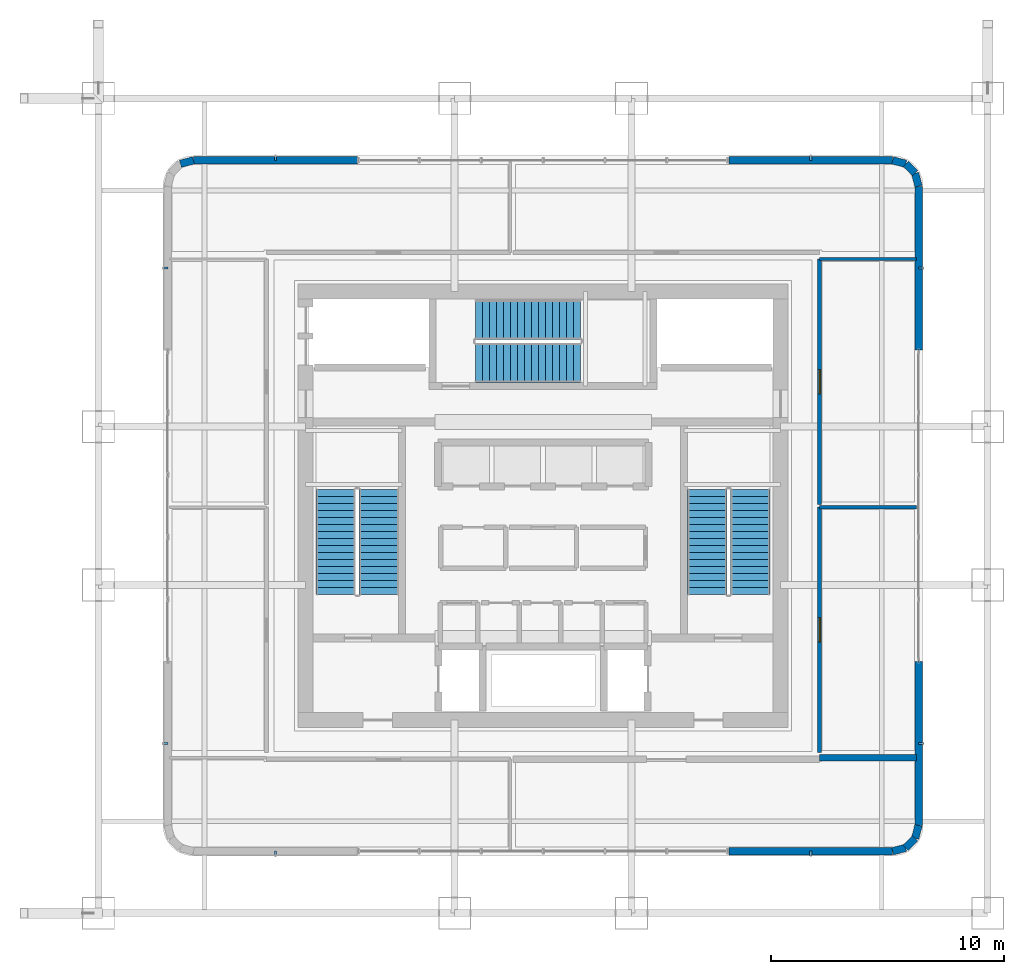
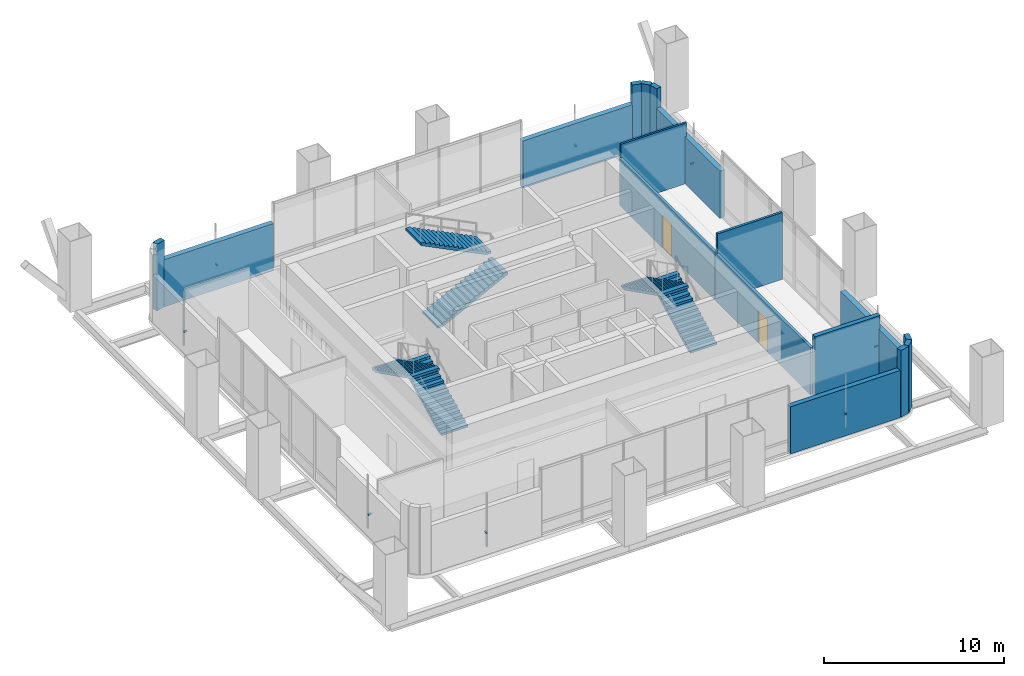
# One storey, part 20 of 30: 17 walls, 8 discrete accessories, 6 stair flights, 2 doors, 2 openings, 3 elements without a shape of their own.
"""IFC4 building model written with IfcOpenShell, lengths in metres."""

from ifc_helpers import new_model, si_unit, direction, frame, frame_2d, origin, origin_2d, place, context, subcontext, project, spatial, polyline, rectangle, outline, extrude, material, layer, layer_set, type_object, element, fill, aggregate, save


model = new_model("IFC4")

# Units and contexts
model_context = context("Model", 3, precision=1e-05, world=origin(), true_north=direction((0.0, 1.0)))
body_context = subcontext(model_context, "Body", "Model", "MODEL_VIEW")
ifc_project = project(units=[si_unit("LENGTHUNIT", "METRE"), si_unit("AREAUNIT", "SQUARE_METRE"), si_unit("VOLUMEUNIT", "CUBIC_METRE"), si_unit("PLANEANGLEUNIT", "RADIAN"), si_unit("MASSUNIT", "GRAM", prefix="KILO")], contexts=[model_context])

# Site, building, storey
site_placement = place(None, origin())
site = spatial("IfcSite", under=ifc_project, at=site_placement, CompositionType="ELEMENT")
building_placement = place(site_placement, origin())
building = spatial("IfcBuilding", under=site, at=building_placement, Name="Punatoya Terracotta Tower", CompositionType="ELEMENT")
storey_placement = place(building_placement, frame((0.0, 0.0, 135.0)))
storey = spatial("IfcBuildingStorey", under=building, at=storey_placement, Name="L31", CompositionType="ELEMENT", Elevation=135.0)

# Wall
ifc_material_1 = material(Name="Concrete C40/50", Category="concrete")
ifc_layer_1 = layer(ifc_material_1, 0.280029296875)
ifc_layer_set_1 = layer_set([ifc_layer_1], Name="Concrete C40/50")
wall_type_1 = type_object("IfcWallType", Name="WL-AUD-280", PredefinedType="SOLIDWALL", material=ifc_layer_set_1)
wall_1_placement = place(storey_placement, frame((11.8798828125, -10.820068359375, 0.0), z_axis=(0.0, 0.0, 1.0), x_axis=(1.0, 0.0, 0.0)))
element("IfcWall", 1, at=wall_1_placement, inside=storey, type_object=wall_type_1, Name="L31 Waterfront Espresso Bistro Partition 26", PredefinedType="SOLIDWALL", context=body_context, shape_type="SweptSolid", body=[
    extrude(rectangle(XDim=4.170166015625, YDim=0.280029296875, at=frame_2d((2.0849609375, 0.0))), origin(), (0.0, 0.0, 1.0), 4.114013671875),
])

# Wall, opening, door
ifc_material_2 = material(Name="Gypsum Fireboard + Steel Stud", Category="steel")
ifc_layer_2 = layer(ifc_material_2, 0.179931640625)
ifc_layer_set_2 = layer_set([ifc_layer_2], Name="Gypsum Fireboard + Steel Stud")
wall_type_2 = type_object("IfcWallType", Name="WL-CORR-180", PredefinedType="PARTITIONING", material=ifc_layer_set_2)
wall_2_placement = place(storey_placement, frame((11.8798828125, -10.60009765625, 0.0), z_axis=(0.0, 0.0, 1.0), x_axis=(0.0, 1.0, 0.0)))
wall_2 = element("IfcWall", 2, at=wall_2_placement, inside=storey, type_object=wall_type_2, Name="L31 Barista Tea Pantry Partition 29", PredefinedType="PARTITIONING", context=body_context, shape_type="SweptSolid", body=[
    extrude(rectangle(XDim=10.5400390625, YDim=0.179931640625, at=frame_2d((5.27001953125, 0.0))), origin(), (0.0, 0.0, 1.0), 3.194091796875),
])
opening_1_placement = place(wall_2_placement, frame((4.7451171875, 0.0, 0.0)))
opening_1 = element("IfcOpeningElement", 3, at=opening_1_placement, cuts=wall_2, Name="Opening OD-01", PredefinedType="OPENING", context=body_context, shape_type="SweptSolid", body=[
    extrude(rectangle(XDim=1.050048828125, YDim=2.199951171875, at=frame_2d((0.52490234375, 1.10009765625))), frame((0.0, 0.099853515625, 0.0), z_axis=(0.0, -1.0, 0.0), x_axis=(1.0, 0.0, 0.0)), (0.0, 0.0, 1.0), 0.199951171875),
])
ifc_material_3 = material(Name="Bengal Teak Solid-Core Leaf")
door_type = type_object("IfcDoorType", Name="DR-OFF-1050", OperationType="NOTDEFINED", PredefinedType="DOOR", material=ifc_material_3)
door_1_placement = place(opening_1_placement, origin())
door_1 = element("IfcDoor", 4, at=door_1_placement, inside=storey, type_object=door_type, Name="L31 Barista Tea Pantry Door", OperationType="SINGLE_SWING_LEFT", OverallHeight=2.199951171875, OverallWidth=1.050048828125, PredefinedType="DOOR", context=body_context, shape_type="SweptSolid", body=[
    extrude(rectangle(XDim=1.050048828125, YDim=2.199951171875, at=frame_2d((0.52490234375, 1.10009765625))), frame((0.0, 0.02490234375, 0.0), z_axis=(0.0, -1.0, 0.0), x_axis=(1.0, 0.0, 0.0)), (0.0, 0.0, 1.0), 0.050048828125),
])
fill(opening_1, door_1)

wall_3_placement = place(storey_placement, frame((11.8798828125, 0.06005859375, 0.0), z_axis=(0.0, 0.0, 1.0), x_axis=(0.0, 1.0, 0.0)))
wall_3 = element("IfcWall", 5, at=wall_3_placement, inside=storey, type_object=wall_type_2, Name="L31 Staff Wellness Studio Partition 33", PredefinedType="PARTITIONING", context=body_context, shape_type="SweptSolid", body=[
    extrude(rectangle(XDim=10.5400390625, YDim=0.179931640625, at=frame_2d((5.27001953125, 0.0))), origin(), (0.0, 0.0, 1.0), 3.194091796875),
])
opening_2_placement = place(wall_3_placement, frame((4.7451171875, 0.0, 0.0)))
opening_2 = element("IfcOpeningElement", 6, at=opening_2_placement, cuts=wall_3, Name="Opening OD-01", PredefinedType="OPENING", context=body_context, shape_type="SweptSolid", body=[
    extrude(rectangle(XDim=1.050048828125, YDim=2.199951171875, at=frame_2d((0.52490234375, 1.10009765625))), frame((0.0, 0.099853515625, 0.0), z_axis=(0.0, -1.0, 0.0), x_axis=(1.0, 0.0, 0.0)), (0.0, 0.0, 1.0), 0.199951171875),
])
door_2_placement = place(opening_2_placement, origin())
door_2 = element("IfcDoor", 7, at=door_2_placement, inside=storey, type_object=door_type, Name="L31 Staff Wellness Studio Door", OperationType="SINGLE_SWING_LEFT", OverallHeight=2.199951171875, OverallWidth=1.050048828125, PredefinedType="DOOR", context=body_context, shape_type="SweptSolid", body=[
    extrude(rectangle(XDim=1.050048828125, YDim=2.199951171875, at=frame_2d((0.52490234375, 1.10009765625))), frame((0.0, 0.02490234375, 0.0), z_axis=(0.0, -1.0, 0.0), x_axis=(1.0, 0.0, 0.0)), (0.0, 0.0, 1.0), 0.050048828125),
])
fill(opening_2, door_2)

# Walls
ifc_material_4 = material(Name="Precast concrete C40/50", Category="concrete")
ifc_layer_3 = layer(ifc_material_4, 0.320068359375)
ifc_layer_set_3 = layer_set([ifc_layer_3], Name="Precast concrete C40/50")
wall_type_3 = type_object("IfcWallType", Name="WL-EXT-320", PredefinedType="SOLIDWALL", material=ifc_layer_set_3)
wall_4_placement = place(storey_placement, frame((7.97998046875, -14.840087890625, 0.0), z_axis=(0.0, 0.0, 1.0), x_axis=(1.0, 0.0, 0.0)))
element("IfcWall", 8, at=wall_4_placement, inside=storey, type_object=wall_type_3, Name="L31 Terracotta Braced Facade Wall S2", PredefinedType="SOLIDWALL", context=body_context, shape_type="SweptSolid", body=[
    extrude(rectangle(XDim=7.036865234375, YDim=0.320068359375, at=frame_2d((3.5185546875, 0.0))), origin(), (0.0, 0.0, 1.0), 3.194091796875),
])
wall_5_placement = place(storey_placement, frame((15.016845703125, -14.840087890625, 0.0), z_axis=(0.0, 0.0, 1.0), x_axis=(0.966665515501, 0.256042537758, 0.0)))
element("IfcWall", 9, at=wall_5_placement, inside=storey, type_object=wall_type_3, Name="L31 Rounded Terracotta Corner Pier 02", PredefinedType="SOLIDWALL", context=body_context, shape_type="SweptSolid", body=[
    extrude(rectangle(XDim=0.58154296875, YDim=0.320068359375, at=frame_2d((0.290771484375, 0.0))), origin(), (0.0, 0.0, 1.0), 4.52001953125),
])
wall_6_placement = place(storey_placement, frame((15.5791015625, -14.691162109375, 0.0), z_axis=(0.0, 0.0, 1.0), x_axis=(0.707106781187, 0.707106781187, 0.0)))
element("IfcWall", 10, at=wall_6_placement, inside=storey, type_object=wall_type_3, Name="L31 Rounded Terracotta Corner Pier 03", PredefinedType="SOLIDWALL", context=body_context, shape_type="SweptSolid", body=[
    extrude(rectangle(XDim=0.568603515625, YDim=0.320068359375, at=frame_2d((0.2841796875, 0.0))), origin(), (0.0, 0.0, 1.0), 4.52001953125),
])
wall_7_placement = place(storey_placement, frame((15.981201171875, -14.2890625, 0.0), z_axis=(0.0, 0.0, 1.0), x_axis=(0.255650250031, 0.966769336325, 0.0)))
element("IfcWall", 11, at=wall_7_placement, inside=storey, type_object=wall_type_3, Name="L31 Rounded Terracotta Corner Pier 04", PredefinedType="SOLIDWALL", context=body_context, shape_type="SweptSolid", body=[
    extrude(rectangle(XDim=0.58154296875, YDim=0.320068359375, at=frame_2d((0.290771484375, 0.0))), origin(), (0.0, 0.0, 1.0), 4.52001953125),
])
for number, where, z_axis, x_axis, name in (
    (12, (16.1298828125, -13.726806640625, 0.0), (0.0, 0.0, 1.0), (0.0, 1.0, 0.0), "L31 Terracotta Braced Facade Wall E1"),
    (13, (16.1298828125, 6.68994140625, 0.0), (0.0, 0.0, 1.0), (0.0, 1.0, 0.0), "L31 Terracotta Braced Facade Wall E2"),
):
    element("IfcWall", number, at=place(storey_placement, frame(where, z_axis=z_axis, x_axis=x_axis)), inside=storey, type_object=wall_type_3, Name=name, PredefinedType="SOLIDWALL", context=body_context, shape_type="SweptSolid", body=[
        extrude(rectangle(XDim=7.036865234375, YDim=0.320068359375, at=frame_2d((3.5185546875, 0.0))), origin(), (0.0, 0.0, 1.0), 3.194091796875),
    ])
wall_8_placement = place(storey_placement, frame((16.1298828125, 13.726806640625, 0.0), z_axis=(0.0, 0.0, 1.0), x_axis=(-0.255650250031, 0.966769336325, 0.0)))
element("IfcWall", 14, at=wall_8_placement, inside=storey, type_object=wall_type_3, Name="L31 Rounded Terracotta Corner Pier 06", PredefinedType="SOLIDWALL", context=body_context, shape_type="SweptSolid", body=[
    extrude(rectangle(XDim=0.58154296875, YDim=0.320068359375, at=frame_2d((0.290771484375, 0.0))), origin(), (0.0, 0.0, 1.0), 4.52001953125),
])
wall_9_placement = place(storey_placement, frame((15.981201171875, 14.2890625, 0.0), z_axis=(0.0, 0.0, 1.0), x_axis=(-0.707106781187, 0.707106781187, 0.0)))
element("IfcWall", 15, at=wall_9_placement, inside=storey, type_object=wall_type_3, Name="L31 Rounded Terracotta Corner Pier 07", PredefinedType="SOLIDWALL", context=body_context, shape_type="SweptSolid", body=[
    extrude(rectangle(XDim=0.568603515625, YDim=0.320068359375, at=frame_2d((0.2841796875, 0.0))), origin(), (0.0, 0.0, 1.0), 4.52001953125),
])
wall_10_placement = place(storey_placement, frame((15.5791015625, 14.691162109375, 0.0), z_axis=(0.0, 0.0, 1.0), x_axis=(-0.966665515501, 0.256042537758, 0.0)))
element("IfcWall", 16, at=wall_10_placement, inside=storey, type_object=wall_type_3, Name="L31 Rounded Terracotta Corner Pier 08", PredefinedType="SOLIDWALL", context=body_context, shape_type="SweptSolid", body=[
    extrude(rectangle(XDim=0.58154296875, YDim=0.320068359375, at=frame_2d((0.290771484375, 0.0))), origin(), (0.0, 0.0, 1.0), 4.52001953125),
])
for number, where, z_axis, x_axis, name in (
    (17, (15.016845703125, 14.840087890625, 0.0), (0.0, 0.0, 1.0), (-1.0, 0.0, 0.0), "L31 Terracotta Braced Facade Wall N1"),
    (18, (-7.97998046875, 14.840087890625, 0.0), (0.0, 0.0, 1.0), (-1.0, 0.0, 0.0), "L31 Terracotta Braced Facade Wall N2"),
):
    element("IfcWall", number, at=place(storey_placement, frame(where, z_axis=z_axis, x_axis=x_axis)), inside=storey, type_object=wall_type_3, Name=name, PredefinedType="SOLIDWALL", context=body_context, shape_type="SweptSolid", body=[
        extrude(rectangle(XDim=7.036865234375, YDim=0.320068359375, at=frame_2d((3.5185546875, 0.0))), origin(), (0.0, 0.0, 1.0), 3.194091796875),
    ])
wall_11_placement = place(storey_placement, frame((-15.016845703125, 14.840087890625, 0.0), z_axis=(0.0, 0.0, 1.0), x_axis=(-0.966665515501, -0.256042537758, 0.0)))
element("IfcWall", 19, at=wall_11_placement, inside=storey, type_object=wall_type_3, Name="L31 Rounded Terracotta Corner Pier 10", PredefinedType="SOLIDWALL", context=body_context, shape_type="SweptSolid", body=[
    extrude(rectangle(XDim=0.58154296875, YDim=0.320068359375, at=frame_2d((0.290771484375, 0.0))), origin(), (0.0, 0.0, 1.0), 4.52001953125),
])
ifc_material_5 = material(Name="Gypsum Partition + Steel Stud", Category="steel")
ifc_layer_4 = layer(ifc_material_5, 0.1201171875)
ifc_layer_set_4 = layer_set([ifc_layer_4], Name="Gypsum Partition + Steel Stud")
wall_type_4 = type_object("IfcWallType", Name="WL-OFF-120", PredefinedType="PARTITIONING", material=ifc_layer_set_4)
wall_12_placement = place(storey_placement, frame((11.8798828125, 10.60009765625, 0.0), z_axis=(0.0, 0.0, 1.0), x_axis=(1.0, 0.0, 0.0)))
element("IfcWall", 20, at=wall_12_placement, inside=storey, type_object=wall_type_4, Name="L31 Staff Wellness Studio Partition 34", PredefinedType="PARTITIONING", context=body_context, shape_type="SweptSolid", body=[
    extrude(rectangle(XDim=4.170166015625, YDim=0.1201171875, at=frame_2d((2.0849609375, 0.0))), origin(), (0.0, 0.0, 1.0), 4.114013671875),
])
ifc_material_6 = material(Name="Masonry Blockwork + Ceramic Tile", Category="masonry")
ifc_layer_5 = layer(ifc_material_6, 0.159912109375)
ifc_layer_set_5 = layer_set([ifc_layer_5], Name="Masonry Blockwork + Ceramic Tile")
wall_type_5 = type_object("IfcWallType", Name="WL-WET-160", PredefinedType="PARTITIONING", material=ifc_layer_set_5)
wall_13_placement = place(storey_placement, frame((11.8798828125, -0.06005859375, 0.0), z_axis=(0.0, 0.0, 1.0), x_axis=(1.0, 0.0, 0.0)))
element("IfcWall", 21, at=wall_13_placement, inside=storey, type_object=wall_type_5, Name="L31 Barista Tea Pantry Partition 30", PredefinedType="PARTITIONING", context=body_context, shape_type="SweptSolid", body=[
    extrude(rectangle(XDim=4.170166015625, YDim=0.159912109375, at=frame_2d((2.0849609375, 0.0))), origin(), (0.0, 0.0, 1.0), 4.52001953125),
])

# Stair, stair flights
stair_type_1 = type_object("IfcStairType", Name="STR-CORE-1550", PredefinedType="HALF_TURN_STAIR", material=ifc_material_1)
stair_1_placement = place(storey_placement, origin())
stair_1 = element("IfcStair", 22, at=stair_1_placement, inside=storey, type_object=stair_type_1, Name="L31 Protected Core Exit Stair ST-1", PredefinedType="HALF_TURN_STAIR")
stair_flight_type_1 = type_object("IfcStairFlightType", Name="SFL-CORE-1550", PredefinedType="STRAIGHT", material=ifc_material_1)
stair_flight_1_placement = place(storey_placement, frame((-7.050048828125, -3.800048828125, 0.0), z_axis=(0.0, 0.0, 1.0), x_axis=(0.0, 1.0, 0.0)))
stair_flight_1 = element("IfcStairFlight", 23, at=stair_flight_1_placement, type_object=stair_flight_type_1, Name="ST-1 flight 1", NumberOfRisers=16, NumberOfTreads=15, PredefinedType="STRAIGHT", RiserHeight=0.15, TreadLength=0.3, context=body_context, shape_type="SweptSolid", body=[
    extrude(outline(polyline([(0.0, 0.0), (0.0, 0.14990234375), (0.300048828125, 0.14990234375), (0.300048828125, 0.300048828125), (0.60009765625, 0.300048828125), (0.60009765625, 0.449951171875), (0.89990234375, 0.449951171875), (0.89990234375, 0.60009765625), (1.199951171875, 0.60009765625), (1.199951171875, 0.75), (1.5, 0.75), (1.5, 0.89990234375), (1.800048828125, 0.89990234375), (1.800048828125, 1.050048828125), (2.10009765625, 1.050048828125), (2.10009765625, 1.199951171875), (2.39990234375, 1.199951171875), (2.39990234375, 1.35009765625), (2.699951171875, 1.35009765625), (2.699951171875, 1.5), (3.0, 1.5), (3.0, 1.64990234375), (3.300048828125, 1.64990234375), (3.300048828125, 1.800048828125), (3.60009765625, 1.800048828125), (3.60009765625, 1.949951171875), (3.89990234375, 1.949951171875), (3.89990234375, 2.10009765625), (4.199951171875, 2.10009765625), (4.199951171875, 2.25), (4.5, 2.25), (4.5, 2.39990234375), (4.5, 2.08251953125), (0.335205078125, 0.0), (0.0, 0.0)])), frame((0.0, 0.85009765625, 0.0), z_axis=(0.0, -1.0, 0.0), x_axis=(1.0, 0.0, 0.0)), (0.0, 0.0, 1.0), 1.699951171875),
])
stair_flight_2_placement = place(storey_placement, frame((-8.89990234375, 0.699951171875, 2.39990234375), z_axis=(0.0, 0.0, 1.0), x_axis=(0.0, -1.0, 0.0)))
stair_flight_2 = element("IfcStairFlight", 24, at=stair_flight_2_placement, type_object=stair_flight_type_1, Name="ST-1 flight 2", NumberOfRisers=16, NumberOfTreads=15, PredefinedType="STRAIGHT", RiserHeight=0.15, TreadLength=0.3, context=body_context, shape_type="SweptSolid", body=[
    extrude(outline(polyline([(0.0, 0.0), (0.0, 0.14990234375), (0.300048828125, 0.14990234375), (0.300048828125, 0.300048828125), (0.60009765625, 0.300048828125), (0.60009765625, 0.449951171875), (0.89990234375, 0.449951171875), (0.89990234375, 0.60009765625), (1.199951171875, 0.60009765625), (1.199951171875, 0.75), (1.5, 0.75), (1.5, 0.89990234375), (1.800048828125, 0.89990234375), (1.800048828125, 1.050048828125), (2.10009765625, 1.050048828125), (2.10009765625, 1.199951171875), (2.39990234375, 1.199951171875), (2.39990234375, 1.35009765625), (2.699951171875, 1.35009765625), (2.699951171875, 1.5), (3.0, 1.5), (3.0, 1.64990234375), (3.300048828125, 1.64990234375), (3.300048828125, 1.800048828125), (3.60009765625, 1.800048828125), (3.60009765625, 1.949951171875), (3.89990234375, 1.949951171875), (3.89990234375, 2.10009765625), (4.199951171875, 2.10009765625), (4.199951171875, 2.25), (4.5, 2.25), (4.5, 2.39990234375), (4.5, 2.08251953125), (0.335205078125, 0.0), (0.0, 0.0)])), frame((0.0, 0.85009765625, 0.0), z_axis=(0.0, -1.0, 0.0), x_axis=(1.0, 0.0, 0.0)), (0.0, 0.0, 1.0), 1.699951171875),
])
aggregate(stair_1, [stair_flight_1, stair_flight_2])

stair_type_2 = type_object("IfcStairType", Name="STR-LOB-1650", PredefinedType="HALF_TURN_STAIR", material=ifc_material_1)
stair_2_placement = place(storey_placement, origin())
stair_2 = element("IfcStair", 25, at=stair_2_placement, inside=storey, type_object=stair_type_2, Name="L31 Protected Core Exit Stair ST-2", PredefinedType="HALF_TURN_STAIR")
stair_flight_type_2 = type_object("IfcStairFlightType", Name="SFL-LOB-1650", PredefinedType="STRAIGHT", material=ifc_material_1)
stair_flight_3_placement = place(storey_placement, frame((8.89990234375, -3.800048828125, 0.0), z_axis=(0.0, 0.0, 1.0), x_axis=(0.0, 1.0, 0.0)))
stair_flight_3 = element("IfcStairFlight", 26, at=stair_flight_3_placement, type_object=stair_flight_type_2, Name="ST-2 flight 1", NumberOfRisers=16, NumberOfTreads=15, PredefinedType="STRAIGHT", RiserHeight=0.15, TreadLength=0.3, context=body_context, shape_type="SweptSolid", body=[
    extrude(outline(polyline([(0.0, 0.0), (0.0, 0.14990234375), (0.300048828125, 0.14990234375), (0.300048828125, 0.300048828125), (0.60009765625, 0.300048828125), (0.60009765625, 0.449951171875), (0.89990234375, 0.449951171875), (0.89990234375, 0.60009765625), (1.199951171875, 0.60009765625), (1.199951171875, 0.75), (1.5, 0.75), (1.5, 0.89990234375), (1.800048828125, 0.89990234375), (1.800048828125, 1.050048828125), (2.10009765625, 1.050048828125), (2.10009765625, 1.199951171875), (2.39990234375, 1.199951171875), (2.39990234375, 1.35009765625), (2.699951171875, 1.35009765625), (2.699951171875, 1.5), (3.0, 1.5), (3.0, 1.64990234375), (3.300048828125, 1.64990234375), (3.300048828125, 1.800048828125), (3.60009765625, 1.800048828125), (3.60009765625, 1.949951171875), (3.89990234375, 1.949951171875), (3.89990234375, 2.10009765625), (4.199951171875, 2.10009765625), (4.199951171875, 2.25), (4.5, 2.25), (4.5, 2.39990234375), (4.5, 2.08251953125), (0.335205078125, 0.0), (0.0, 0.0)])), frame((0.0, 0.85009765625, 0.0), z_axis=(0.0, -1.0, 0.0), x_axis=(1.0, 0.0, 0.0)), (0.0, 0.0, 1.0), 1.699951171875),
])
stair_flight_4_placement = place(storey_placement, frame((7.050048828125, 0.699951171875, 2.39990234375), z_axis=(0.0, 0.0, 1.0), x_axis=(0.0, -1.0, 0.0)))
stair_flight_4 = element("IfcStairFlight", 27, at=stair_flight_4_placement, type_object=stair_flight_type_2, Name="ST-2 flight 2", NumberOfRisers=16, NumberOfTreads=15, PredefinedType="STRAIGHT", RiserHeight=0.15, TreadLength=0.3, context=body_context, shape_type="SweptSolid", body=[
    extrude(outline(polyline([(0.0, 0.0), (0.0, 0.14990234375), (0.300048828125, 0.14990234375), (0.300048828125, 0.300048828125), (0.60009765625, 0.300048828125), (0.60009765625, 0.449951171875), (0.89990234375, 0.449951171875), (0.89990234375, 0.60009765625), (1.199951171875, 0.60009765625), (1.199951171875, 0.75), (1.5, 0.75), (1.5, 0.89990234375), (1.800048828125, 0.89990234375), (1.800048828125, 1.050048828125), (2.10009765625, 1.050048828125), (2.10009765625, 1.199951171875), (2.39990234375, 1.199951171875), (2.39990234375, 1.35009765625), (2.699951171875, 1.35009765625), (2.699951171875, 1.5), (3.0, 1.5), (3.0, 1.64990234375), (3.300048828125, 1.64990234375), (3.300048828125, 1.800048828125), (3.60009765625, 1.800048828125), (3.60009765625, 1.949951171875), (3.89990234375, 1.949951171875), (3.89990234375, 2.10009765625), (4.199951171875, 2.10009765625), (4.199951171875, 2.25), (4.5, 2.25), (4.5, 2.39990234375), (4.5, 2.08251953125), (0.335205078125, 0.0), (0.0, 0.0)])), frame((0.0, 0.85009765625, 0.0), z_axis=(0.0, -1.0, 0.0), x_axis=(1.0, 0.0, 0.0)), (0.0, 0.0, 1.0), 1.699951171875),
])
aggregate(stair_2, [stair_flight_3, stair_flight_4])

stair_type_3 = type_object("IfcStairType", Name="STR-TER-1450", PredefinedType="HALF_TURN_STAIR", material=ifc_material_1)
stair_3_placement = place(storey_placement, origin())
stair_3 = element("IfcStair", 28, at=stair_3_placement, inside=storey, type_object=stair_type_3, Name="L31 Protected Core Exit Stair ST-3", PredefinedType="HALF_TURN_STAIR")
stair_flight_type_3 = type_object("IfcStairFlightType", Name="SFL-TER-1450", PredefinedType="STRAIGHT", material=ifc_material_1)
stair_flight_5_placement = place(storey_placement, frame((-2.89990234375, 6.14990234375, 0.0), z_axis=(0.0, 0.0, 1.0), x_axis=(1.0, 0.0, 0.0)))
stair_flight_5 = element("IfcStairFlight", 29, at=stair_flight_5_placement, type_object=stair_flight_type_3, Name="ST-3 flight 1", NumberOfRisers=16, NumberOfTreads=15, PredefinedType="STRAIGHT", RiserHeight=0.15, TreadLength=0.3, context=body_context, shape_type="SweptSolid", body=[
    extrude(outline(polyline([(0.0, 0.0), (0.0, 0.14990234375), (0.300048828125, 0.14990234375), (0.300048828125, 0.300048828125), (0.60009765625, 0.300048828125), (0.60009765625, 0.449951171875), (0.89990234375, 0.449951171875), (0.89990234375, 0.60009765625), (1.199951171875, 0.60009765625), (1.199951171875, 0.75), (1.5, 0.75), (1.5, 0.89990234375), (1.800048828125, 0.89990234375), (1.800048828125, 1.050048828125), (2.10009765625, 1.050048828125), (2.10009765625, 1.199951171875), (2.39990234375, 1.199951171875), (2.39990234375, 1.35009765625), (2.699951171875, 1.35009765625), (2.699951171875, 1.5), (3.0, 1.5), (3.0, 1.64990234375), (3.300048828125, 1.64990234375), (3.300048828125, 1.800048828125), (3.60009765625, 1.800048828125), (3.60009765625, 1.949951171875), (3.89990234375, 1.949951171875), (3.89990234375, 2.10009765625), (4.199951171875, 2.10009765625), (4.199951171875, 2.25), (4.5, 2.25), (4.5, 2.39990234375), (4.5, 2.08251953125), (0.335205078125, 0.0), (0.0, 0.0)])), frame((0.0, 0.85009765625, 0.0), z_axis=(0.0, -1.0, 0.0), x_axis=(1.0, 0.0, 0.0)), (0.0, 0.0, 1.0), 1.699951171875),
])
stair_flight_6_placement = place(storey_placement, frame((1.60009765625, 8.0, 2.39990234375), z_axis=(0.0, 0.0, 1.0), x_axis=(-1.0, 0.0, 0.0)))
stair_flight_6 = element("IfcStairFlight", 30, at=stair_flight_6_placement, type_object=stair_flight_type_3, Name="ST-3 flight 2", NumberOfRisers=16, NumberOfTreads=15, PredefinedType="STRAIGHT", RiserHeight=0.15, TreadLength=0.3, context=body_context, shape_type="SweptSolid", body=[
    extrude(outline(polyline([(0.0, 0.0), (0.0, 0.14990234375), (0.300048828125, 0.14990234375), (0.300048828125, 0.300048828125), (0.60009765625, 0.300048828125), (0.60009765625, 0.449951171875), (0.89990234375, 0.449951171875), (0.89990234375, 0.60009765625), (1.199951171875, 0.60009765625), (1.199951171875, 0.75), (1.5, 0.75), (1.5, 0.89990234375), (1.800048828125, 0.89990234375), (1.800048828125, 1.050048828125), (2.10009765625, 1.050048828125), (2.10009765625, 1.199951171875), (2.39990234375, 1.199951171875), (2.39990234375, 1.35009765625), (2.699951171875, 1.35009765625), (2.699951171875, 1.5), (3.0, 1.5), (3.0, 1.64990234375), (3.300048828125, 1.64990234375), (3.300048828125, 1.800048828125), (3.60009765625, 1.800048828125), (3.60009765625, 1.949951171875), (3.89990234375, 1.949951171875), (3.89990234375, 2.10009765625), (4.199951171875, 2.10009765625), (4.199951171875, 2.25), (4.5, 2.25), (4.5, 2.39990234375), (4.5, 2.08251953125), (0.335205078125, 0.0), (0.0, 0.0)])), frame((0.0, 0.85009765625, 0.0), z_axis=(0.0, -1.0, 0.0), x_axis=(1.0, 0.0, 0.0)), (0.0, 0.0, 1.0), 1.699951171875),
])
aggregate(stair_3, [stair_flight_5, stair_flight_6])

# Discrete accessories
ifc_material_7 = material(Name="Steel S355", Category="steel")
discrete_accessory_type = type_object("IfcDiscreteAccessoryType", Name="ACC-BRK-220", PredefinedType="BRACKET", material=ifc_material_7)
for number, where, z_axis, x_axis, name in (
    (31, (-11.49853515625, -14.93994140625, 1.449951171875), (0.0, 0.0, 1.0), (1.0, 0.0, 0.0), "L31 Jali Fin Support Bracket S1"),
    (32, (11.49853515625, -14.93994140625, 1.449951171875), (0.0, 0.0, 1.0), (1.0, 0.0, 0.0), "L31 Jali Fin Support Bracket S2"),
    (33, (16.22998046875, -10.20849609375, 1.449951171875), (0.0, 0.0, 1.0), (0.0, 1.0, 0.0), "L31 Jali Fin Support Bracket E1"),
    (34, (16.22998046875, 10.20849609375, 1.449951171875), (0.0, 0.0, 1.0), (0.0, 1.0, 0.0), "L31 Jali Fin Support Bracket E2"),
    (35, (11.49853515625, 14.93994140625, 1.449951171875), (0.0, 0.0, 1.0), (-1.0, 0.0, 0.0), "L31 Jali Fin Support Bracket N1"),
    (36, (-11.49853515625, 14.93994140625, 1.449951171875), (0.0, 0.0, 1.0), (-1.0, 0.0, 0.0), "L31 Jali Fin Support Bracket N2"),
    (37, (-16.22998046875, 10.20849609375, 1.449951171875), (0.0, 0.0, 1.0), (0.0, -1.0, 0.0), "L31 Jali Fin Support Bracket W1"),
    (38, (-16.22998046875, -10.20849609375, 1.449951171875), (0.0, 0.0, 1.0), (0.0, -1.0, 0.0), "L31 Jali Fin Support Bracket W2"),
):
    element("IfcDiscreteAccessory", number, at=place(storey_placement, frame(where, z_axis=z_axis, x_axis=x_axis)), inside=storey, type_object=discrete_accessory_type, Name=name, PredefinedType="BRACKET", context=body_context, shape_type="SweptSolid", body=[
        extrude(rectangle(XDim=0.090087890625, YDim=0.219970703125, at=origin_2d()), origin(), (0.0, 0.0, 1.0), 0.10009765625),
    ])

save(model, "model.ifc")
